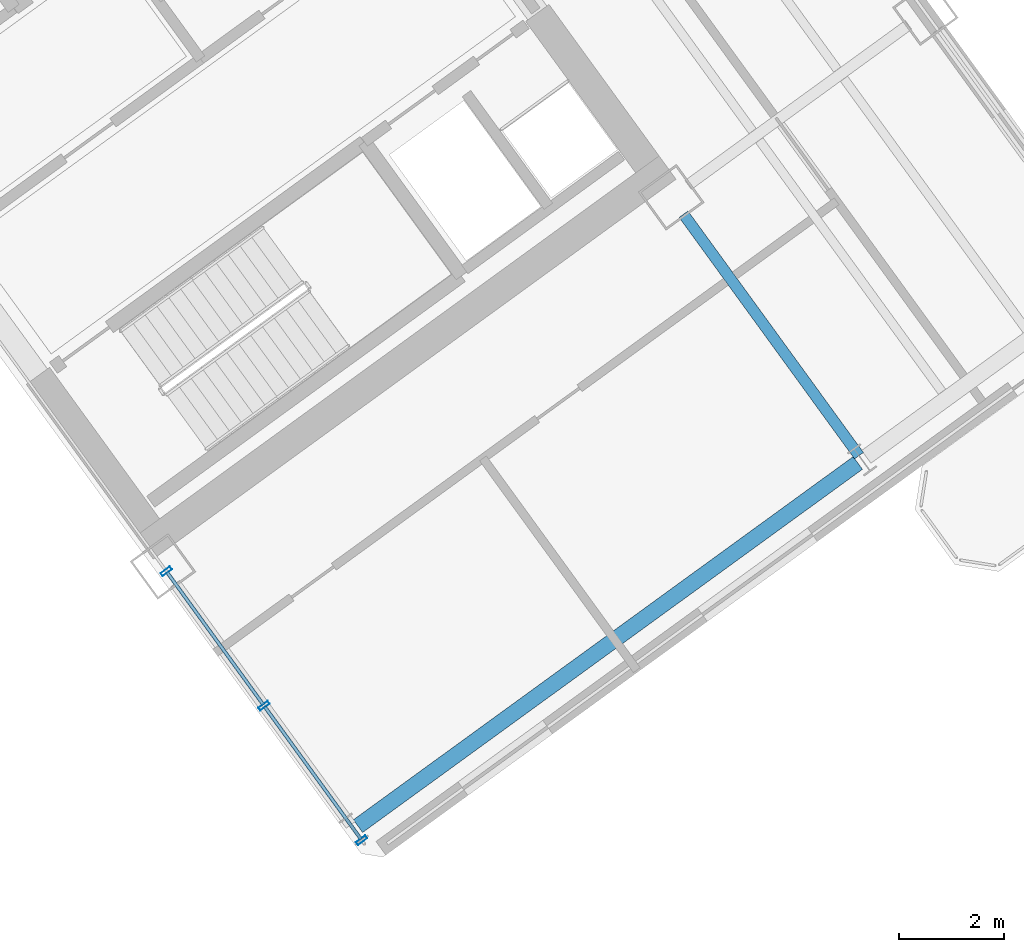
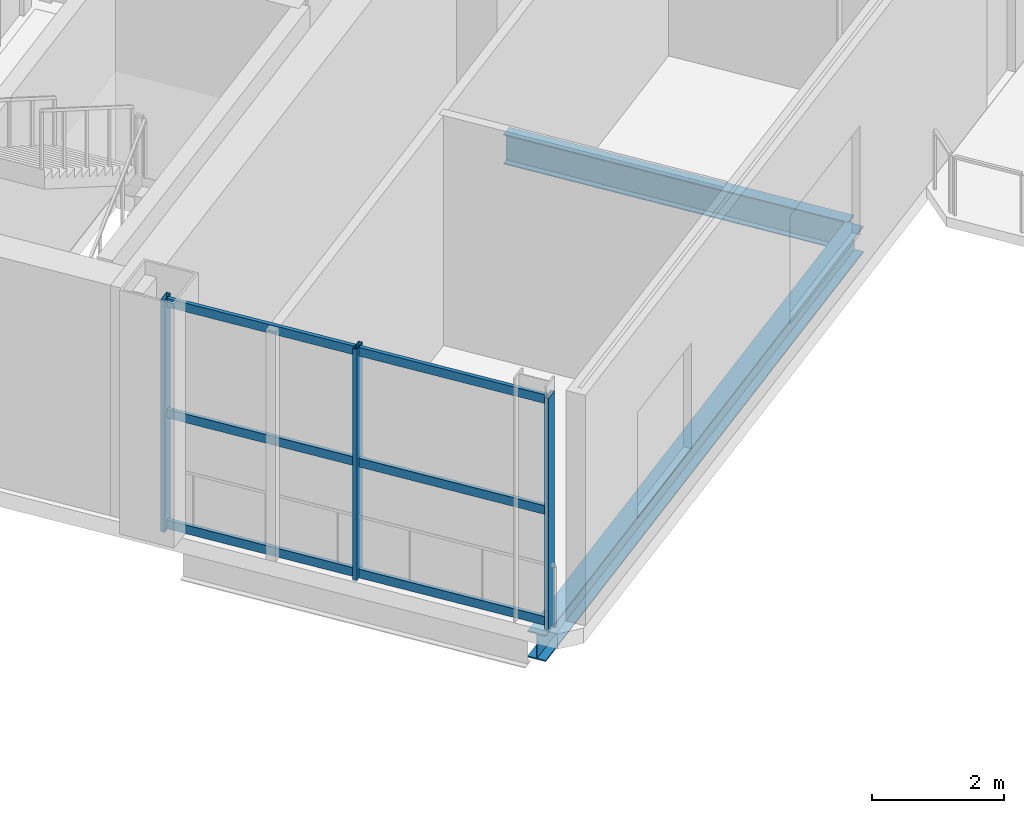
# One storey, part 8 of 18: 9 members, 2 beams, 1 element without a shape of its own.
"""IFC4 building model written with IfcOpenShell, lengths in metres."""

import ifcopenshell
import ifcopenshell.guid

model = None  # the IFC model being written
_history = None  # IfcOwnerHistory: only IFC2X3 demands one
_inside = {}  # id of a spatial element -> (the spatial element, [elements in it])
_under = {}  # id of a project, library or spatial element -> (it, [spatial elements below it])
_declared = {}  # id of a project -> (the project, [libraries it declares])
_typed = {}  # id of a type object -> (the type object, [elements of that type])
_made_of = {}  # id of a material, layer set ... -> (it, [elements and type objects made of it])


def new_model(schema):
    """Start an empty IFC model of exactly this schema.

    Asked for "IFC4X3", IfcOpenShell would pick the latest addendum, in which some entities
    have other attributes; the version numbers below select the first issue.
    IFC2X3 requires an IfcOwnerHistory on every rooted entity: one is made here for all.
    """
    global model, _history
    if schema == "IFC4X3":
        model = ifcopenshell.file(schema_version=(4, 3, 0, 0))
    else:
        model = ifcopenshell.file(schema=schema)
    _inside.clear()
    _under.clear()
    _declared.clear()
    _typed.clear()
    _made_of.clear()
    _history = None
    if model.schema == "IFC2X3":
        org = make("IfcOrganization", Name="unknown")
        user = make(
            "IfcPersonAndOrganization",
            ThePerson=make("IfcPerson", FamilyName="unknown"),
            TheOrganization=org,
        )
        app = make(
            "IfcApplication",
            ApplicationDeveloper=org,
            Version="unknown",
            ApplicationFullName="unknown",
            ApplicationIdentifier="unknown",
        )
        _history = make(
            "IfcOwnerHistory",
            OwningUser=user,
            OwningApplication=app,
            ChangeAction="ADDED",
            CreationDate=0,
        )
    return model


def make(cls, **values):
    """One entity of the class cls with the attributes given. An attribute that is None is left unset."""
    return model.create_entity(
        cls, **{name: value for name, value in values.items() if value is not None}
    )


def rooted(cls, **values):
    """An entity with a GlobalId (a new one), such as an element, a storey or a relation."""
    return make(cls, GlobalId=ifcopenshell.guid.new(), OwnerHistory=_history, **values)


def si_unit(unit_type, name, prefix=None):
    """IfcSIUnit, for example si_unit("LENGTHUNIT", "METRE", prefix="MILLI")."""
    return make("IfcSIUnit", UnitType=unit_type, Prefix=prefix, Name=name)


def assignment(units):
    """IfcUnitAssignment: the units of a project."""
    return None if units is None else make("IfcUnitAssignment", Units=units)


def point(xyz):
    """IfcCartesianPoint."""
    return None if xyz is None else make("IfcCartesianPoint", Coordinates=xyz)


def direction(xyz):
    """IfcDirection."""
    return None if xyz is None else make("IfcDirection", DirectionRatios=xyz)


def frame(location, z_axis=None, x_axis=None):
    """IfcAxis2Placement3D, a coordinate frame: its origin and axes. An axis left out is left unset."""
    return make(
        "IfcAxis2Placement3D",
        Location=point(location),
        Axis=direction(z_axis),
        RefDirection=direction(x_axis),
    )


def frame_2d(location, x_axis=None):
    """IfcAxis2Placement2D, a coordinate frame in the plane: its origin and x axis."""
    return make(
        "IfcAxis2Placement2D", Location=point(location), RefDirection=direction(x_axis)
    )


def origin():
    """The frame at (0, 0, 0) with its axes left unset."""
    return frame((0.0, 0.0, 0.0))


def origin_2d():
    """The frame at (0, 0) in the plane with its x axis left unset."""
    return frame_2d((0.0, 0.0))


def place(relative_to, where):
    """IfcLocalPlacement: puts the frame where relative to a parent placement (None: the world)."""
    return make(
        "IfcLocalPlacement", PlacementRelTo=relative_to, RelativePlacement=where
    )


def context(
    kind, dimensions, precision=None, world=None, true_north=None, identifier=None
):
    """IfcGeometricRepresentationContext, for example the 3D "Model" context."""
    return make(
        "IfcGeometricRepresentationContext",
        ContextIdentifier=identifier,
        ContextType=kind,
        CoordinateSpaceDimension=dimensions,
        Precision=precision,
        WorldCoordinateSystem=world,
        TrueNorth=true_north,
    )


def subcontext(parent, identifier, kind, view, scale=None):
    """IfcGeometricRepresentationSubContext, for example "Body" below "Model"."""
    return make(
        "IfcGeometricRepresentationSubContext",
        ContextIdentifier=identifier,
        ContextType=kind,
        ParentContext=parent,
        TargetScale=scale,
        TargetView=view,
    )


def project(units=None, contexts=None):
    """IfcProject with its units and contexts."""
    return rooted(
        "IfcProject",
        Name="project",
        RepresentationContexts=contexts,
        UnitsInContext=assignment(units),
    )


def spatial(cls, under=None, at=None, **own):
    """A site, building, storey or space (cls), placed at a placement, below another one or the project."""
    s = rooted(cls, ObjectPlacement=at, **own)
    if under is not None:
        _under.setdefault(under.id(), (under, []))[1].append(s)
    return s


def profile(cls, at=None, kind="AREA", **sizes):
    """A parametric profile (cls). Its sizes go by their IFC names, for example OverallWidth=200.0."""
    return make(cls, ProfileType=kind, Position=at, **sizes)


def hollow_rectangle(**sizes):
    """IfcRectangleHollowProfileDef."""
    return profile("IfcRectangleHollowProfileDef", **sizes)


def i_section(**sizes):
    """IfcIShapeProfileDef."""
    return profile("IfcIShapeProfileDef", **sizes)


def extrude(swept, where, along, depth):
    """IfcExtrudedAreaSolid: the profile swept, set in the frame where, extruded along a direction by depth."""
    return make(
        "IfcExtrudedAreaSolid",
        SweptArea=swept,
        Position=where,
        ExtrudedDirection=direction(along),
        Depth=depth,
    )


def shape(context_of_items, identifier, shape_type, items):
    """IfcShapeRepresentation: the items that make up one representation, for example the "Body"."""
    return make(
        "IfcShapeRepresentation",
        ContextOfItems=context_of_items,
        RepresentationIdentifier=identifier,
        RepresentationType=shape_type,
        Items=items,
    )


def source(mapping_origin, context_of_items, identifier, shape_type, items):
    """IfcRepresentationMap: a shape defined once, which mapped items show again and again."""
    return make(
        "IfcRepresentationMap",
        MappingOrigin=mapping_origin,
        MappedRepresentation=shape(context_of_items, identifier, shape_type, items),
    )


def transform(
    local_origin,
    x_axis=None,
    y_axis=None,
    z_axis=None,
    scale=None,
    scale2=None,
    scale3=None,
    uniform=True,
):
    """IfcCartesianTransformationOperator3D, or its non-uniform kind. x_axis, y_axis, z_axis: its Axis1, 2, 3."""
    if uniform:
        return make(
            "IfcCartesianTransformationOperator3D",
            Axis1=direction(x_axis),
            Axis2=direction(y_axis),
            LocalOrigin=point(local_origin),
            Scale=scale,
            Axis3=direction(z_axis),
        )
    return make(
        "IfcCartesianTransformationOperator3DnonUniform",
        Axis1=direction(x_axis),
        Axis2=direction(y_axis),
        LocalOrigin=point(local_origin),
        Scale=scale,
        Axis3=direction(z_axis),
        Scale2=scale2,
        Scale3=scale3,
    )


def mapped(mapping_source, mapping_target):
    """IfcMappedItem: shows the shape of a source again, moved by a transform."""
    return make(
        "IfcMappedItem", MappingSource=mapping_source, MappingTarget=mapping_target
    )


def material(Name=None, Category=None):
    """IfcMaterial."""
    return make("IfcMaterial", Name=Name, Category=Category)


def material_profile(
    of_material, cross_section, Name=None, Category=None, Priority=None
):
    """IfcMaterialProfile: a cross section and its material."""
    return make(
        "IfcMaterialProfile",
        Name=Name,
        Material=of_material,
        Profile=cross_section,
        Priority=Priority,
        Category=Category,
    )


def profile_set(profiles, Name=None, composite=None):
    """IfcMaterialProfileSet."""
    return make(
        "IfcMaterialProfileSet",
        Name=Name,
        MaterialProfiles=profiles,
        CompositeProfile=composite,
    )


def made_of(thing, what):
    """Note that an element or type object is made of a material, layer set ...; save() writes the relation."""
    if what is not None:
        _made_of.setdefault(what.id(), (what, []))[1].append(thing)
    return thing


def type_object(cls, material=None, **own):
    """A type object (cls), such as IfcWallType, which elements share."""
    return made_of(rooted(cls, **own), material)


def element(
    cls,
    number,
    at=None,
    inside=None,
    cuts=None,
    type_object=None,
    material=None,
    context=None,
    identifier="Body",
    shape_type=None,
    held_by="IfcProductDefinitionShape",
    body=None,
    shapes=None,
    **own,
):
    """One element of the class cls, such as IfcWall. Its Tag is "e" and its number.

    at: its placement. inside: the storey or other place that contains it. cuts: it is an
    opening in that element (IfcRelVoidsElement). A single representation is given by context,
    identifier, shape_type and body (its items); several are given by shapes. held_by: the class
    of the entity that holds the representations. save() writes the other relations.
    """
    e = rooted(cls, Tag="e%d" % number, ObjectPlacement=at, **own)
    if body is not None:
        shapes = [shape(context, identifier, shape_type, body)]
    if shapes is not None:
        e.Representation = make(held_by, Representations=shapes)
    if inside is not None:
        _inside.setdefault(inside.id(), (inside, []))[1].append(e)
    if cuts is not None:
        rooted(
            "IfcRelVoidsElement", RelatingBuildingElement=cuts, RelatedOpeningElement=e
        )
    if type_object is not None:
        _typed.setdefault(type_object.id(), (type_object, []))[1].append(e)
    return made_of(e, material)


def aggregate(whole, parts):
    """IfcRelAggregates: a whole, such as a stair, and the parts it consists of."""
    return rooted("IfcRelAggregates", RelatingObject=whole, RelatedObjects=parts)


def save(model, path):
    """Write the relations noted so far, then the file.

    IfcRelAggregates (storeys below a building ...), IfcRelContainedInSpatialStructure (elements
    in a storey), IfcRelDefinesByType, IfcRelAssociatesMaterial and IfcRelDeclares: one each for
    every whole, place, type object, material and project.
    """
    for whole, parts in _under.values():
        aggregate(whole, parts)
    for where, things in _inside.values():
        rooted(
            "IfcRelContainedInSpatialStructure",
            RelatedElements=things,
            RelatingStructure=where,
        )
    for kind, things in _typed.values():
        rooted("IfcRelDefinesByType", RelatedObjects=things, RelatingType=kind)
    for what, things in _made_of.values():
        rooted("IfcRelAssociatesMaterial", RelatedObjects=things, RelatingMaterial=what)
    for by, libraries in _declared.values():
        rooted("IfcRelDeclares", RelatingContext=by, RelatedDefinitions=libraries)
    model.write(path)


model = new_model("IFC4")

# Units and contexts
model_context = context("Model", 3, precision=1e-05, world=origin(), true_north=direction((0.0, 1.0)))
body_context = subcontext(model_context, "Body", "Model", "MODEL_VIEW")
ifc_project = project(units=[si_unit("LENGTHUNIT", "METRE"), si_unit("AREAUNIT", "SQUARE_METRE"), si_unit("VOLUMEUNIT", "CUBIC_METRE"), si_unit("PLANEANGLEUNIT", "RADIAN"), si_unit("MASSUNIT", "GRAM", prefix="KILO")], contexts=[model_context])

# Site, building, storey
site_placement = place(None, origin())
site = spatial("IfcSite", under=ifc_project, at=site_placement, CompositionType="ELEMENT")
building_placement = place(site_placement, origin())
building = spatial("IfcBuilding", under=site, at=building_placement, Name="Tlacorven Tower", CompositionType="ELEMENT")
storey_placement = place(building_placement, frame((0.0, 0.0, 136.199951171875)))
storey = spatial("IfcBuildingStorey", under=building, at=storey_placement, Name="L34", CompositionType="ELEMENT", Elevation=136.199951171875)

# Beams
ifc_material_1 = material(Name="Steel S355J2", Category="steel")
ifc_material_profile_1 = material_profile(ifc_material_1, i_section(OverallWidth=0.300048828125, OverallDepth=0.489990234375, WebThickness=0.011962890625, FlangeThickness=0.02294921875, at=origin_2d()), Name="HEA 500")
ifc_profile_set_1 = profile_set([ifc_material_profile_1], Name="Steel S355J2")
beam_type_1 = type_object("IfcBeamType", Name="BM-SPN-500", PredefinedType="SPANDREL", material=ifc_profile_set_1)
shared_shape_1 = source(origin(), body_context, "Body", "SweptSolid", [
    extrude(i_section(OverallWidth=0.300048828125, OverallDepth=0.489990234375, WebThickness=0.011962890625, FlangeThickness=0.02294921875, at=origin_2d()), origin(), (0.0, 0.0, 1.0), 11.800048828125),
])
beam_1_placement = place(storey_placement, frame((56.4306640625, 7.816162109375, -0.52490234375), z_axis=(0.80900977213, 0.587795192732, 0.0), x_axis=(-0.587795192732, 0.80900977213, 0.0)))
element("IfcBeam", 1, at=beam_1_placement, inside=storey, type_object=beam_type_1, Name="L34 beam BM-L34-EL1-1", PredefinedType="SPANDREL", context=body_context, shape_type="MappedRepresentation", body=[
    mapped(shared_shape_1, transform((0.0, 0.0, 0.0), scale=1.0)),
])
ifc_material_profile_2 = material_profile(ifc_material_1, i_section(OverallWidth=0.2099609375, OverallDepth=0.550048828125, WebThickness=0.010986328125, FlangeThickness=0.01708984375, at=origin_2d()), Name="IPE 550")
ifc_profile_set_2 = profile_set([ifc_material_profile_2], Name="Steel S355J2")
beam_type_2 = type_object("IfcBeamType", Name="BM-TWR-550", PredefinedType="BEAM", material=ifc_profile_set_2)
shared_shape_2 = source(origin(), body_context, "Body", "SweptSolid", [
    extrude(i_section(OverallWidth=0.2099609375, OverallDepth=0.550048828125, WebThickness=0.010986328125, FlangeThickness=0.01708984375, at=origin_2d()), origin(), (0.0, 0.0, 1.0), 5.699951171875),
])
beam_2_placement = place(storey_placement, frame((65.9990234375, 14.891845703125, -0.554931640625), z_axis=(-0.587787066966, 0.809015675935, 0.0), x_axis=(-0.809015675935, -0.587787066966, 0.0)))
element("IfcBeam", 2, at=beam_2_placement, inside=storey, type_object=beam_type_2, Name="L34 beam BM-L34-ET3-1", PredefinedType="BEAM", context=body_context, shape_type="MappedRepresentation", body=[
    mapped(shared_shape_2, transform((0.0, 0.0, 0.0), scale=1.0)),
])

# Curtain wall, members
ifc_material_2 = material(Name="Dark solar low-E double glazing in aluminium frame", Category="aluminium")
curtain_wall_type = type_object("IfcCurtainWallType", Name="CW-COM-AMENITY", PredefinedType="USERDEFINED", material=ifc_material_2)
curtain_wall_placement = place(storey_placement, origin())
curtain_wall = element("IfcCurtainWall", 3, at=curtain_wall_placement, inside=storey, type_object=curtain_wall_type, Name="L34 CW-COM-AMENITY Curtain Wall 160", ObjectType="UNITISED CURTAIN WALL", PredefinedType="USERDEFINED")
ifc_material_3 = material(Name="Aluminium 6063-T6 anodised", Category="aluminium")
ifc_material_profile_3 = material_profile(ifc_material_3, hollow_rectangle(XDim=0.070068359375, YDim=0.219970703125, WallThickness=0.0048828125, at=origin_2d()), Name="ALU MULLION 70X220")
ifc_profile_set_3 = profile_set([ifc_material_profile_3], Name="Aluminium 6063-T6 anodised")
member_type_1 = type_object("IfcMemberType", Name="CWM-01", PredefinedType="MULLION", material=ifc_profile_set_3)
shared_shape_3 = source(origin(), body_context, "Body", "SweptSolid", [
    extrude(hollow_rectangle(XDim=0.070068359375, YDim=0.219970703125, WallThickness=0.0048828125, at=origin_2d()), origin(), (0.0, 0.0, 1.0), 4.280029296875),
])
member_1_placement = place(storey_placement, frame((56.501708984375, 7.548095703125, -0.02001953125), z_axis=(0.0, 0.0, 1.0), x_axis=(-0.587785363163, 0.809016913823, 0.0)))
member_1 = element("IfcMember", 4, at=member_1_placement, type_object=member_type_1, Name="CW-L34-160 Mullion 1", PredefinedType="MULLION", context=body_context, shape_type="MappedRepresentation", body=[
    mapped(shared_shape_3, transform((0.0, 0.0, 0.0), scale=1.0)),
])
member_2_placement = place(storey_placement, frame((54.635986328125, 10.1162109375, -0.02001953125), z_axis=(0.0, 0.0, 1.0), x_axis=(-0.587785363163, 0.809016913823, 0.0)))
member_2 = element("IfcMember", 5, at=member_2_placement, type_object=member_type_1, Name="CW-L34-160 Mullion 2", PredefinedType="MULLION", context=body_context, shape_type="MappedRepresentation", body=[
    mapped(shared_shape_3, transform((0.0, 0.0, 0.0), scale=1.0)),
])
member_3_placement = place(storey_placement, frame((52.77001953125, 12.684326171875, -0.02001953125), z_axis=(0.0, 0.0, 1.0), x_axis=(-0.587785363163, 0.809016913823, 0.0)))
member_3 = element("IfcMember", 6, at=member_3_placement, type_object=member_type_1, Name="CW-L34-160 Mullion 3", PredefinedType="MULLION", context=body_context, shape_type="MappedRepresentation", body=[
    mapped(shared_shape_3, transform((0.0, 0.0, 0.0), scale=1.0)),
])
ifc_material_profile_4 = material_profile(ifc_material_3, hollow_rectangle(XDim=0.06494140625, YDim=0.159912109375, WallThickness=0.00390625, at=origin_2d()), Name="ALU TRANSOM 65X160")
ifc_profile_set_4 = profile_set([ifc_material_profile_4], Name="Aluminium 6063-T6 anodised")
member_type_2 = type_object("IfcMemberType", Name="CWT-01", PredefinedType="USERDEFINED", material=ifc_profile_set_4)
shared_shape_4 = source(origin(), body_context, "Body", "SweptSolid", [
    extrude(hollow_rectangle(XDim=0.06494140625, YDim=0.159912109375, WallThickness=0.00390625, at=origin_2d()), origin(), (0.0, 0.0, 1.0), 3.128173828125),
])
member_4_placement = place(storey_placement, frame((56.48828125, 7.56689453125, 0.080078125), z_axis=(-0.587818972304, 0.808992494279, 0.0), x_axis=(-0.808992494279, -0.587818972304, 0.0)))
member_4 = element("IfcMember", 7, at=member_4_placement, type_object=member_type_2, Name="CW-L34-160 Transom 1", ObjectType="TRANSOM", PredefinedType="USERDEFINED", context=body_context, shape_type="MappedRepresentation", body=[
    mapped(shared_shape_4, transform((0.0, 0.0, 0.0), scale=1.0)),
])
member_5_placement = place(storey_placement, frame((56.48828125, 7.56689453125, 2.125), z_axis=(-0.587818972304, 0.808992494279, 0.0), x_axis=(-0.808992494279, -0.587818972304, 0.0)))
member_5 = element("IfcMember", 8, at=member_5_placement, type_object=member_type_2, Name="CW-L34-160 Transom 2", ObjectType="TRANSOM", PredefinedType="USERDEFINED", context=body_context, shape_type="MappedRepresentation", body=[
    mapped(shared_shape_4, transform((0.0, 0.0, 0.0), scale=1.0)),
])
member_6_placement = place(storey_placement, frame((56.48828125, 7.56689453125, 4.170166015625), z_axis=(-0.587818972304, 0.808992494279, 0.0), x_axis=(-0.808992494279, -0.587818972304, 0.0)))
member_6 = element("IfcMember", 9, at=member_6_placement, type_object=member_type_2, Name="CW-L34-160 Transom 3", ObjectType="TRANSOM", PredefinedType="USERDEFINED", context=body_context, shape_type="MappedRepresentation", body=[
    mapped(shared_shape_4, transform((0.0, 0.0, 0.0), scale=1.0)),
])
member_7_placement = place(storey_placement, frame((54.622314453125, 10.135009765625, 0.080078125), z_axis=(-0.587767892155, 0.809029606968, 0.0), x_axis=(-0.809029606968, -0.587767892155, 0.0)))
member_7 = element("IfcMember", 10, at=member_7_placement, type_object=member_type_2, Name="CW-L34-160 Transom 4", ObjectType="TRANSOM", PredefinedType="USERDEFINED", context=body_context, shape_type="MappedRepresentation", body=[
    mapped(shared_shape_4, transform((0.0, 0.0, 0.0), scale=1.0)),
])
member_8_placement = place(storey_placement, frame((54.622314453125, 10.135009765625, 2.125), z_axis=(-0.587767892155, 0.809029606968, 0.0), x_axis=(-0.809029606968, -0.587767892155, 0.0)))
member_8 = element("IfcMember", 11, at=member_8_placement, type_object=member_type_2, Name="CW-L34-160 Transom 5", ObjectType="TRANSOM", PredefinedType="USERDEFINED", context=body_context, shape_type="MappedRepresentation", body=[
    mapped(shared_shape_4, transform((0.0, 0.0, 0.0), scale=1.0)),
])
member_9_placement = place(storey_placement, frame((54.622314453125, 10.135009765625, 4.170166015625), z_axis=(-0.587767892155, 0.809029606968, 0.0), x_axis=(-0.809029606968, -0.587767892155, 0.0)))
member_9 = element("IfcMember", 12, at=member_9_placement, type_object=member_type_2, Name="CW-L34-160 Transom 6", ObjectType="TRANSOM", PredefinedType="USERDEFINED", context=body_context, shape_type="MappedRepresentation", body=[
    mapped(shared_shape_4, transform((0.0, 0.0, 0.0), scale=1.0)),
])
aggregate(curtain_wall, [member_1, member_2, member_3, member_4, member_5, member_6, member_7, member_8, member_9])

save(model, "model.ifc")
